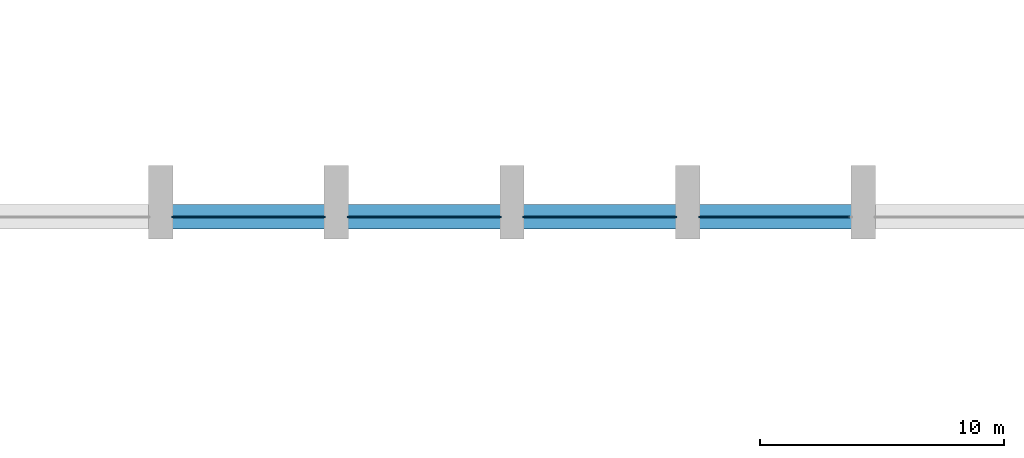
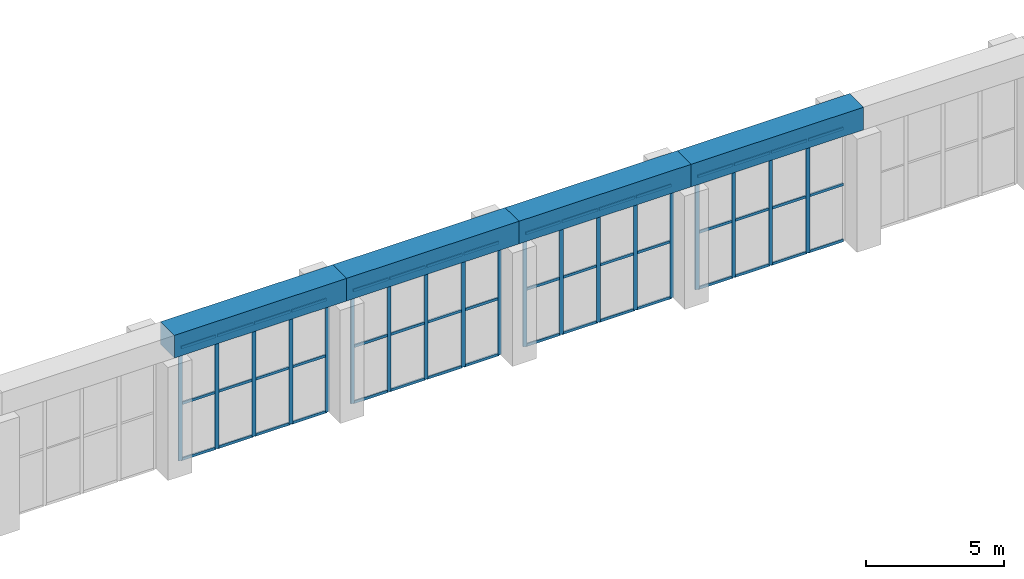
# One storey, part 10 of 44: 67 members, 4 beams, 4 elements without a shape of their own.
"""IFC4 building model written with IfcOpenShell, lengths in metres."""

import ifcopenshell
import ifcopenshell.guid

model = None  # the IFC model being written
_history = None  # IfcOwnerHistory: only IFC2X3 demands one
_inside = {}  # id of a spatial element -> (the spatial element, [elements in it])
_under = {}  # id of a project, library or spatial element -> (it, [spatial elements below it])
_declared = {}  # id of a project -> (the project, [libraries it declares])
_typed = {}  # id of a type object -> (the type object, [elements of that type])
_made_of = {}  # id of a material, layer set ... -> (it, [elements and type objects made of it])


def new_model(schema):
    """Start an empty IFC model of exactly this schema.

    Asked for "IFC4X3", IfcOpenShell would pick the latest addendum, in which some entities
    have other attributes; the version numbers below select the first issue.
    IFC2X3 requires an IfcOwnerHistory on every rooted entity: one is made here for all.
    """
    global model, _history
    if schema == "IFC4X3":
        model = ifcopenshell.file(schema_version=(4, 3, 0, 0))
    else:
        model = ifcopenshell.file(schema=schema)
    _inside.clear()
    _under.clear()
    _declared.clear()
    _typed.clear()
    _made_of.clear()
    _history = None
    if model.schema == "IFC2X3":
        org = make("IfcOrganization", Name="unknown")
        user = make(
            "IfcPersonAndOrganization",
            ThePerson=make("IfcPerson", FamilyName="unknown"),
            TheOrganization=org,
        )
        app = make(
            "IfcApplication",
            ApplicationDeveloper=org,
            Version="unknown",
            ApplicationFullName="unknown",
            ApplicationIdentifier="unknown",
        )
        _history = make(
            "IfcOwnerHistory",
            OwningUser=user,
            OwningApplication=app,
            ChangeAction="ADDED",
            CreationDate=0,
        )
    return model


def make(cls, **values):
    """One entity of the class cls with the attributes given. An attribute that is None is left unset."""
    return model.create_entity(
        cls, **{name: value for name, value in values.items() if value is not None}
    )


def rooted(cls, **values):
    """An entity with a GlobalId (a new one), such as an element, a storey or a relation."""
    return make(cls, GlobalId=ifcopenshell.guid.new(), OwnerHistory=_history, **values)


def si_unit(unit_type, name, prefix=None):
    """IfcSIUnit, for example si_unit("LENGTHUNIT", "METRE", prefix="MILLI")."""
    return make("IfcSIUnit", UnitType=unit_type, Prefix=prefix, Name=name)


def assignment(units):
    """IfcUnitAssignment: the units of a project."""
    return None if units is None else make("IfcUnitAssignment", Units=units)


def point(xyz):
    """IfcCartesianPoint."""
    return None if xyz is None else make("IfcCartesianPoint", Coordinates=xyz)


def direction(xyz):
    """IfcDirection."""
    return None if xyz is None else make("IfcDirection", DirectionRatios=xyz)


def frame(location, z_axis=None, x_axis=None):
    """IfcAxis2Placement3D, a coordinate frame: its origin and axes. An axis left out is left unset."""
    return make(
        "IfcAxis2Placement3D",
        Location=point(location),
        Axis=direction(z_axis),
        RefDirection=direction(x_axis),
    )


def frame_2d(location, x_axis=None):
    """IfcAxis2Placement2D, a coordinate frame in the plane: its origin and x axis."""
    return make(
        "IfcAxis2Placement2D", Location=point(location), RefDirection=direction(x_axis)
    )


def origin():
    """The frame at (0, 0, 0) with its axes left unset."""
    return frame((0.0, 0.0, 0.0))


def origin_2d():
    """The frame at (0, 0) in the plane with its x axis left unset."""
    return frame_2d((0.0, 0.0))


def place(relative_to, where):
    """IfcLocalPlacement: puts the frame where relative to a parent placement (None: the world)."""
    return make(
        "IfcLocalPlacement", PlacementRelTo=relative_to, RelativePlacement=where
    )


def context(
    kind, dimensions, precision=None, world=None, true_north=None, identifier=None
):
    """IfcGeometricRepresentationContext, for example the 3D "Model" context."""
    return make(
        "IfcGeometricRepresentationContext",
        ContextIdentifier=identifier,
        ContextType=kind,
        CoordinateSpaceDimension=dimensions,
        Precision=precision,
        WorldCoordinateSystem=world,
        TrueNorth=true_north,
    )


def subcontext(parent, identifier, kind, view, scale=None):
    """IfcGeometricRepresentationSubContext, for example "Body" below "Model"."""
    return make(
        "IfcGeometricRepresentationSubContext",
        ContextIdentifier=identifier,
        ContextType=kind,
        ParentContext=parent,
        TargetScale=scale,
        TargetView=view,
    )


def project(units=None, contexts=None):
    """IfcProject with its units and contexts."""
    return rooted(
        "IfcProject",
        Name="project",
        RepresentationContexts=contexts,
        UnitsInContext=assignment(units),
    )


def spatial(cls, under=None, at=None, **own):
    """A site, building, storey or space (cls), placed at a placement, below another one or the project."""
    s = rooted(cls, ObjectPlacement=at, **own)
    if under is not None:
        _under.setdefault(under.id(), (under, []))[1].append(s)
    return s


def profile(cls, at=None, kind="AREA", **sizes):
    """A parametric profile (cls). Its sizes go by their IFC names, for example OverallWidth=200.0."""
    return make(cls, ProfileType=kind, Position=at, **sizes)


def rectangle(**sizes):
    """IfcRectangleProfileDef."""
    return profile("IfcRectangleProfileDef", **sizes)


def extrude(swept, where, along, depth):
    """IfcExtrudedAreaSolid: the profile swept, set in the frame where, extruded along a direction by depth."""
    return make(
        "IfcExtrudedAreaSolid",
        SweptArea=swept,
        Position=where,
        ExtrudedDirection=direction(along),
        Depth=depth,
    )


def shape(context_of_items, identifier, shape_type, items):
    """IfcShapeRepresentation: the items that make up one representation, for example the "Body"."""
    return make(
        "IfcShapeRepresentation",
        ContextOfItems=context_of_items,
        RepresentationIdentifier=identifier,
        RepresentationType=shape_type,
        Items=items,
    )


def material(Name=None, Category=None):
    """IfcMaterial."""
    return make("IfcMaterial", Name=Name, Category=Category)


def material_profile(
    of_material, cross_section, Name=None, Category=None, Priority=None
):
    """IfcMaterialProfile: a cross section and its material."""
    return make(
        "IfcMaterialProfile",
        Name=Name,
        Material=of_material,
        Profile=cross_section,
        Priority=Priority,
        Category=Category,
    )


def profile_set(profiles, Name=None, composite=None):
    """IfcMaterialProfileSet."""
    return make(
        "IfcMaterialProfileSet",
        Name=Name,
        MaterialProfiles=profiles,
        CompositeProfile=composite,
    )


def made_of(thing, what):
    """Note that an element or type object is made of a material, layer set ...; save() writes the relation."""
    if what is not None:
        _made_of.setdefault(what.id(), (what, []))[1].append(thing)
    return thing


def type_object(cls, material=None, **own):
    """A type object (cls), such as IfcWallType, which elements share."""
    return made_of(rooted(cls, **own), material)


def element(
    cls,
    number,
    at=None,
    inside=None,
    cuts=None,
    type_object=None,
    material=None,
    context=None,
    identifier="Body",
    shape_type=None,
    held_by="IfcProductDefinitionShape",
    body=None,
    shapes=None,
    **own,
):
    """One element of the class cls, such as IfcWall. Its Tag is "e" and its number.

    at: its placement. inside: the storey or other place that contains it. cuts: it is an
    opening in that element (IfcRelVoidsElement). A single representation is given by context,
    identifier, shape_type and body (its items); several are given by shapes. held_by: the class
    of the entity that holds the representations. save() writes the other relations.
    """
    e = rooted(cls, Tag="e%d" % number, ObjectPlacement=at, **own)
    if body is not None:
        shapes = [shape(context, identifier, shape_type, body)]
    if shapes is not None:
        e.Representation = make(held_by, Representations=shapes)
    if inside is not None:
        _inside.setdefault(inside.id(), (inside, []))[1].append(e)
    if cuts is not None:
        rooted(
            "IfcRelVoidsElement", RelatingBuildingElement=cuts, RelatedOpeningElement=e
        )
    if type_object is not None:
        _typed.setdefault(type_object.id(), (type_object, []))[1].append(e)
    return made_of(e, material)


def aggregate(whole, parts):
    """IfcRelAggregates: a whole, such as a stair, and the parts it consists of."""
    return rooted("IfcRelAggregates", RelatingObject=whole, RelatedObjects=parts)


def save(model, path):
    """Write the relations noted so far, then the file.

    IfcRelAggregates (storeys below a building ...), IfcRelContainedInSpatialStructure (elements
    in a storey), IfcRelDefinesByType, IfcRelAssociatesMaterial and IfcRelDeclares: one each for
    every whole, place, type object, material and project.
    """
    for whole, parts in _under.values():
        aggregate(whole, parts)
    for where, things in _inside.values():
        rooted(
            "IfcRelContainedInSpatialStructure",
            RelatedElements=things,
            RelatingStructure=where,
        )
    for kind, things in _typed.values():
        rooted("IfcRelDefinesByType", RelatedObjects=things, RelatingType=kind)
    for what, things in _made_of.values():
        rooted("IfcRelAssociatesMaterial", RelatedObjects=things, RelatingMaterial=what)
    for by, libraries in _declared.values():
        rooted("IfcRelDeclares", RelatingContext=by, RelatedDefinitions=libraries)
    model.write(path)


model = new_model("IFC4")

# Units and contexts
model_context = context("Model", 3, precision=1e-05, world=origin(), true_north=direction((0.0, 1.0)))
body_context = subcontext(model_context, "Body", "Model", "MODEL_VIEW")
ifc_project = project(units=[si_unit("LENGTHUNIT", "METRE"), si_unit("AREAUNIT", "SQUARE_METRE"), si_unit("VOLUMEUNIT", "CUBIC_METRE"), si_unit("PLANEANGLEUNIT", "RADIAN"), si_unit("MASSUNIT", "GRAM", prefix="KILO")], contexts=[model_context])

# Site, building, storey
site_placement = place(None, origin())
site = spatial("IfcSite", under=ifc_project, at=site_placement, CompositionType="ELEMENT")
building_placement = place(site_placement, origin())
building = spatial("IfcBuilding", under=site, at=building_placement, Name="Vermilion Court Aquatics Centre", CompositionType="ELEMENT")
storey_placement = place(building_placement, frame((0.0, 0.0, 6.0)))
storey = spatial("IfcBuildingStorey", under=building, at=storey_placement, Name="L01", CompositionType="ELEMENT", Elevation=6.0)

# Curtain wall, members
ifc_material_1 = material(Name="Aluminium 6063-T5", Category="aluminium")
curtain_wall_type = type_object("IfcCurtainWallType", Name="Envelope curtain wall hall clerestory L01", PredefinedType="NOTDEFINED", material=ifc_material_1)
curtain_wall_1_placement = place(storey_placement, origin())
curtain_wall_1 = element("IfcCurtainWall", 1, at=curtain_wall_1_placement, inside=storey, type_object=curtain_wall_type, Name="Hall clerestory bay 11 L01", PredefinedType="NOTDEFINED")
ifc_material_2 = material(Name="Aluminium 6063-T5", Category="aluminium")
ifc_material_profile_1 = material_profile(ifc_material_2, rectangle(XDim=0.06005859375, YDim=0.159912109375, at=origin_2d()), Name="AL 60x160")
ifc_profile_set_1 = profile_set([ifc_material_profile_1], Name="Aluminium 6063-T5")
member_type_1 = type_object("IfcMemberType", Name="Envelope aluminium mullion 60x160", PredefinedType="MULLION", material=ifc_profile_set_1)
member_1_placement = place(storey_placement, frame((86.929931640625, 64.800048828125, 0.0), z_axis=(0.0, 0.0, 1.0), x_axis=(0.0, 1.0, 0.0)))
member_1 = element("IfcMember", 2, at=member_1_placement, type_object=member_type_1, Name="ECW2 mullion 1", PredefinedType="MULLION", context=body_context, shape_type="SweptSolid", body=[
    extrude(rectangle(XDim=0.06005859375, YDim=0.159912109375, at=origin_2d()), origin(), (0.0, 0.0, 1.0), 5.0),
])
member_2_placement = place(storey_placement, frame((88.449951171875, 64.800048828125, 0.0), z_axis=(0.0, 0.0, 1.0), x_axis=(0.0, 1.0, 0.0)))
member_2 = element("IfcMember", 3, at=member_2_placement, type_object=member_type_1, Name="ECW2 mullion 2", PredefinedType="MULLION", context=body_context, shape_type="SweptSolid", body=[
    extrude(rectangle(XDim=0.06005859375, YDim=0.159912109375, at=origin_2d()), origin(), (0.0, 0.0, 1.0), 5.0),
])
member_3_placement = place(storey_placement, frame((90.0, 64.800048828125, 0.0), z_axis=(0.0, 0.0, 1.0), x_axis=(0.0, 1.0, 0.0)))
member_3 = element("IfcMember", 4, at=member_3_placement, type_object=member_type_1, Name="ECW2 mullion 3", PredefinedType="MULLION", context=body_context, shape_type="SweptSolid", body=[
    extrude(rectangle(XDim=0.06005859375, YDim=0.159912109375, at=origin_2d()), origin(), (0.0, 0.0, 1.0), 5.0),
])
member_4_placement = place(storey_placement, frame((91.550048828125, 64.800048828125, 0.0), z_axis=(0.0, 0.0, 1.0), x_axis=(0.0, 1.0, 0.0)))
member_4 = element("IfcMember", 5, at=member_4_placement, type_object=member_type_1, Name="ECW2 mullion 4", PredefinedType="MULLION", context=body_context, shape_type="SweptSolid", body=[
    extrude(rectangle(XDim=0.06005859375, YDim=0.159912109375, at=origin_2d()), origin(), (0.0, 0.0, 1.0), 5.0),
])
member_5_placement = place(storey_placement, frame((93.070068359375, 64.800048828125, 0.0), z_axis=(0.0, 0.0, 1.0), x_axis=(0.0, 1.0, 0.0)))
member_5 = element("IfcMember", 6, at=member_5_placement, type_object=member_type_1, Name="ECW2 mullion 5", PredefinedType="MULLION", context=body_context, shape_type="SweptSolid", body=[
    extrude(rectangle(XDim=0.06005859375, YDim=0.159912109375, at=origin_2d()), origin(), (0.0, 0.0, 1.0), 5.0),
])

curtain_wall_2_placement = place(storey_placement, origin())
curtain_wall_2 = element("IfcCurtainWall", 7, at=curtain_wall_2_placement, inside=storey, type_object=curtain_wall_type, Name="Hall clerestory bay 12 L01", PredefinedType="NOTDEFINED")
member_6_placement = place(storey_placement, frame((94.1298828125, 64.800048828125, 0.0), z_axis=(0.0, 0.0, 1.0), x_axis=(0.0, 1.0, 0.0)))
member_6 = element("IfcMember", 8, at=member_6_placement, type_object=member_type_1, Name="ECW2 mullion 1", PredefinedType="MULLION", context=body_context, shape_type="SweptSolid", body=[
    extrude(rectangle(XDim=0.06005859375, YDim=0.159912109375, at=origin_2d()), origin(), (0.0, 0.0, 1.0), 5.0),
])
member_7_placement = place(storey_placement, frame((95.64990234375, 64.800048828125, 0.0), z_axis=(0.0, 0.0, 1.0), x_axis=(0.0, 1.0, 0.0)))
member_7 = element("IfcMember", 9, at=member_7_placement, type_object=member_type_1, Name="ECW2 mullion 2", PredefinedType="MULLION", context=body_context, shape_type="SweptSolid", body=[
    extrude(rectangle(XDim=0.06005859375, YDim=0.159912109375, at=origin_2d()), origin(), (0.0, 0.0, 1.0), 5.0),
])
member_8_placement = place(storey_placement, frame((97.199951171875, 64.800048828125, 0.0), z_axis=(0.0, 0.0, 1.0), x_axis=(0.0, 1.0, 0.0)))
member_8 = element("IfcMember", 10, at=member_8_placement, type_object=member_type_1, Name="ECW2 mullion 3", PredefinedType="MULLION", context=body_context, shape_type="SweptSolid", body=[
    extrude(rectangle(XDim=0.06005859375, YDim=0.159912109375, at=origin_2d()), origin(), (0.0, 0.0, 1.0), 5.0),
])
member_9_placement = place(storey_placement, frame((98.75, 64.800048828125, 0.0), z_axis=(0.0, 0.0, 1.0), x_axis=(0.0, 1.0, 0.0)))
member_9 = element("IfcMember", 11, at=member_9_placement, type_object=member_type_1, Name="ECW2 mullion 4", PredefinedType="MULLION", context=body_context, shape_type="SweptSolid", body=[
    extrude(rectangle(XDim=0.06005859375, YDim=0.159912109375, at=origin_2d()), origin(), (0.0, 0.0, 1.0), 5.0),
])
member_10_placement = place(storey_placement, frame((100.27001953125, 64.800048828125, 0.0), z_axis=(0.0, 0.0, 1.0), x_axis=(0.0, 1.0, 0.0)))
member_10 = element("IfcMember", 12, at=member_10_placement, type_object=member_type_1, Name="ECW2 mullion 5", PredefinedType="MULLION", context=body_context, shape_type="SweptSolid", body=[
    extrude(rectangle(XDim=0.06005859375, YDim=0.159912109375, at=origin_2d()), origin(), (0.0, 0.0, 1.0), 5.0),
])

curtain_wall_3_placement = place(storey_placement, origin())
curtain_wall_3 = element("IfcCurtainWall", 13, at=curtain_wall_3_placement, inside=storey, type_object=curtain_wall_type, Name="Hall clerestory bay 13 L01", PredefinedType="NOTDEFINED")
member_11_placement = place(storey_placement, frame((101.330078125, 64.800048828125, 0.0), z_axis=(0.0, 0.0, 1.0), x_axis=(0.0, 1.0, 0.0)))
member_11 = element("IfcMember", 14, at=member_11_placement, type_object=member_type_1, Name="ECW2 mullion 1", PredefinedType="MULLION", context=body_context, shape_type="SweptSolid", body=[
    extrude(rectangle(XDim=0.06005859375, YDim=0.159912109375, at=origin_2d()), origin(), (0.0, 0.0, 1.0), 5.0),
])
member_12_placement = place(storey_placement, frame((102.85009765625, 64.800048828125, 0.0), z_axis=(0.0, 0.0, 1.0), x_axis=(0.0, 1.0, 0.0)))
member_12 = element("IfcMember", 15, at=member_12_placement, type_object=member_type_1, Name="ECW2 mullion 2", PredefinedType="MULLION", context=body_context, shape_type="SweptSolid", body=[
    extrude(rectangle(XDim=0.06005859375, YDim=0.159912109375, at=origin_2d()), origin(), (0.0, 0.0, 1.0), 5.0),
])
member_13_placement = place(storey_placement, frame((104.39990234375, 64.800048828125, 0.0), z_axis=(0.0, 0.0, 1.0), x_axis=(0.0, 1.0, 0.0)))
member_13 = element("IfcMember", 16, at=member_13_placement, type_object=member_type_1, Name="ECW2 mullion 3", PredefinedType="MULLION", context=body_context, shape_type="SweptSolid", body=[
    extrude(rectangle(XDim=0.06005859375, YDim=0.159912109375, at=origin_2d()), origin(), (0.0, 0.0, 1.0), 5.0),
])
member_14_placement = place(storey_placement, frame((105.949951171875, 64.800048828125, 0.0), z_axis=(0.0, 0.0, 1.0), x_axis=(0.0, 1.0, 0.0)))
member_14 = element("IfcMember", 17, at=member_14_placement, type_object=member_type_1, Name="ECW2 mullion 4", PredefinedType="MULLION", context=body_context, shape_type="SweptSolid", body=[
    extrude(rectangle(XDim=0.06005859375, YDim=0.159912109375, at=origin_2d()), origin(), (0.0, 0.0, 1.0), 5.0),
])
member_15_placement = place(storey_placement, frame((107.469970703125, 64.800048828125, 0.0), z_axis=(0.0, 0.0, 1.0), x_axis=(0.0, 1.0, 0.0)))
member_15 = element("IfcMember", 18, at=member_15_placement, type_object=member_type_1, Name="ECW2 mullion 5", PredefinedType="MULLION", context=body_context, shape_type="SweptSolid", body=[
    extrude(rectangle(XDim=0.06005859375, YDim=0.159912109375, at=origin_2d()), origin(), (0.0, 0.0, 1.0), 5.0),
])

curtain_wall_4_placement = place(storey_placement, origin())
curtain_wall_4 = element("IfcCurtainWall", 19, at=curtain_wall_4_placement, inside=storey, type_object=curtain_wall_type, Name="Hall clerestory bay 14 L01", PredefinedType="NOTDEFINED")
member_16_placement = place(storey_placement, frame((108.530029296875, 64.800048828125, 0.0), z_axis=(0.0, 0.0, 1.0), x_axis=(0.0, 1.0, 0.0)))
member_16 = element("IfcMember", 20, at=member_16_placement, type_object=member_type_1, Name="ECW2 mullion 1", PredefinedType="MULLION", context=body_context, shape_type="SweptSolid", body=[
    extrude(rectangle(XDim=0.06005859375, YDim=0.159912109375, at=origin_2d()), origin(), (0.0, 0.0, 1.0), 5.0),
])
member_17_placement = place(storey_placement, frame((110.050048828125, 64.800048828125, 0.0), z_axis=(0.0, 0.0, 1.0), x_axis=(0.0, 1.0, 0.0)))
member_17 = element("IfcMember", 21, at=member_17_placement, type_object=member_type_1, Name="ECW2 mullion 2", PredefinedType="MULLION", context=body_context, shape_type="SweptSolid", body=[
    extrude(rectangle(XDim=0.06005859375, YDim=0.159912109375, at=origin_2d()), origin(), (0.0, 0.0, 1.0), 5.0),
])
member_18_placement = place(storey_placement, frame((111.60009765625, 64.800048828125, 0.0), z_axis=(0.0, 0.0, 1.0), x_axis=(0.0, 1.0, 0.0)))
member_18 = element("IfcMember", 22, at=member_18_placement, type_object=member_type_1, Name="ECW2 mullion 3", PredefinedType="MULLION", context=body_context, shape_type="SweptSolid", body=[
    extrude(rectangle(XDim=0.06005859375, YDim=0.159912109375, at=origin_2d()), origin(), (0.0, 0.0, 1.0), 5.0),
])
member_19_placement = place(storey_placement, frame((113.14990234375, 64.800048828125, 0.0), z_axis=(0.0, 0.0, 1.0), x_axis=(0.0, 1.0, 0.0)))
member_19 = element("IfcMember", 23, at=member_19_placement, type_object=member_type_1, Name="ECW2 mullion 4", PredefinedType="MULLION", context=body_context, shape_type="SweptSolid", body=[
    extrude(rectangle(XDim=0.06005859375, YDim=0.159912109375, at=origin_2d()), origin(), (0.0, 0.0, 1.0), 5.0),
])

# Member
ifc_material_3 = material(Name="Aluminium 6063-T5", Category="aluminium")
ifc_material_profile_2 = material_profile(ifc_material_3, rectangle(XDim=0.06005859375, YDim=0.1201171875, at=origin_2d()), Name="AL 60x120")
ifc_profile_set_2 = profile_set([ifc_material_profile_2], Name="Aluminium 6063-T5")
member_type_2 = type_object("IfcMemberType", Name="Envelope aluminium transom 60x120", PredefinedType="USERDEFINED", material=ifc_profile_set_2)
member_20_placement = place(storey_placement, frame((86.9599609375, 64.800048828125, 0.030029296875), z_axis=(1.0, 0.0, 0.0), x_axis=(0.0, 1.0, 0.0)))
member_20 = element("IfcMember", 24, at=member_20_placement, type_object=member_type_2, Name="ECW2 transom 1.1", ObjectType="TRANSOM", PredefinedType="USERDEFINED", context=body_context, shape_type="SweptSolid", body=[
    extrude(rectangle(XDim=0.06005859375, YDim=0.1201171875, at=origin_2d()), origin(), (0.0, 0.0, 1.0), 1.4599609375),
])

member_21_placement = place(storey_placement, frame((86.9599609375, 64.800048828125, 2.5), z_axis=(1.0, 0.0, 0.0), x_axis=(0.0, 1.0, 0.0)))
member_21 = element("IfcMember", 25, at=member_21_placement, type_object=member_type_2, Name="ECW2 transom 1.2", ObjectType="TRANSOM", PredefinedType="USERDEFINED", context=body_context, shape_type="SweptSolid", body=[
    extrude(rectangle(XDim=0.06005859375, YDim=0.1201171875, at=origin_2d()), origin(), (0.0, 0.0, 1.0), 1.4599609375),
])

member_22_placement = place(storey_placement, frame((86.9599609375, 64.800048828125, 4.969970703125), z_axis=(1.0, 0.0, 0.0), x_axis=(0.0, 1.0, 0.0)))
member_22 = element("IfcMember", 26, at=member_22_placement, type_object=member_type_2, Name="ECW2 transom 1.3", ObjectType="TRANSOM", PredefinedType="USERDEFINED", context=body_context, shape_type="SweptSolid", body=[
    extrude(rectangle(XDim=0.06005859375, YDim=0.1201171875, at=origin_2d()), origin(), (0.0, 0.0, 1.0), 1.4599609375),
])

member_23_placement = place(storey_placement, frame((88.47998046875, 64.800048828125, 0.030029296875), z_axis=(1.0, 0.0, 0.0), x_axis=(0.0, 1.0, 0.0)))
member_23 = element("IfcMember", 27, at=member_23_placement, type_object=member_type_2, Name="ECW2 transom 2.1", ObjectType="TRANSOM", PredefinedType="USERDEFINED", context=body_context, shape_type="SweptSolid", body=[
    extrude(rectangle(XDim=0.06005859375, YDim=0.1201171875, at=origin_2d()), origin(), (0.0, 0.0, 1.0), 1.489990234375),
])

member_24_placement = place(storey_placement, frame((88.47998046875, 64.800048828125, 2.5), z_axis=(1.0, 0.0, 0.0), x_axis=(0.0, 1.0, 0.0)))
member_24 = element("IfcMember", 28, at=member_24_placement, type_object=member_type_2, Name="ECW2 transom 2.2", ObjectType="TRANSOM", PredefinedType="USERDEFINED", context=body_context, shape_type="SweptSolid", body=[
    extrude(rectangle(XDim=0.06005859375, YDim=0.1201171875, at=origin_2d()), origin(), (0.0, 0.0, 1.0), 1.489990234375),
])

member_25_placement = place(storey_placement, frame((88.47998046875, 64.800048828125, 4.969970703125), z_axis=(1.0, 0.0, 0.0), x_axis=(0.0, 1.0, 0.0)))
member_25 = element("IfcMember", 29, at=member_25_placement, type_object=member_type_2, Name="ECW2 transom 2.3", ObjectType="TRANSOM", PredefinedType="USERDEFINED", context=body_context, shape_type="SweptSolid", body=[
    extrude(rectangle(XDim=0.06005859375, YDim=0.1201171875, at=origin_2d()), origin(), (0.0, 0.0, 1.0), 1.489990234375),
])

member_26_placement = place(storey_placement, frame((90.030029296875, 64.800048828125, 0.030029296875), z_axis=(1.0, 0.0, 0.0), x_axis=(0.0, 1.0, 0.0)))
member_26 = element("IfcMember", 30, at=member_26_placement, type_object=member_type_2, Name="ECW2 transom 3.1", ObjectType="TRANSOM", PredefinedType="USERDEFINED", context=body_context, shape_type="SweptSolid", body=[
    extrude(rectangle(XDim=0.06005859375, YDim=0.1201171875, at=origin_2d()), origin(), (0.0, 0.0, 1.0), 1.489990234375),
])

member_27_placement = place(storey_placement, frame((90.030029296875, 64.800048828125, 2.5), z_axis=(1.0, 0.0, 0.0), x_axis=(0.0, 1.0, 0.0)))
member_27 = element("IfcMember", 31, at=member_27_placement, type_object=member_type_2, Name="ECW2 transom 3.2", ObjectType="TRANSOM", PredefinedType="USERDEFINED", context=body_context, shape_type="SweptSolid", body=[
    extrude(rectangle(XDim=0.06005859375, YDim=0.1201171875, at=origin_2d()), origin(), (0.0, 0.0, 1.0), 1.489990234375),
])

member_28_placement = place(storey_placement, frame((90.030029296875, 64.800048828125, 4.969970703125), z_axis=(1.0, 0.0, 0.0), x_axis=(0.0, 1.0, 0.0)))
member_28 = element("IfcMember", 32, at=member_28_placement, type_object=member_type_2, Name="ECW2 transom 3.3", ObjectType="TRANSOM", PredefinedType="USERDEFINED", context=body_context, shape_type="SweptSolid", body=[
    extrude(rectangle(XDim=0.06005859375, YDim=0.1201171875, at=origin_2d()), origin(), (0.0, 0.0, 1.0), 1.489990234375),
])

member_29_placement = place(storey_placement, frame((91.580078125, 64.800048828125, 0.030029296875), z_axis=(1.0, 0.0, 0.0), x_axis=(0.0, 1.0, 0.0)))
member_29 = element("IfcMember", 33, at=member_29_placement, type_object=member_type_2, Name="ECW2 transom 4.1", ObjectType="TRANSOM", PredefinedType="USERDEFINED", context=body_context, shape_type="SweptSolid", body=[
    extrude(rectangle(XDim=0.06005859375, YDim=0.1201171875, at=origin_2d()), origin(), (0.0, 0.0, 1.0), 1.4599609375),
])

member_30_placement = place(storey_placement, frame((91.580078125, 64.800048828125, 2.5), z_axis=(1.0, 0.0, 0.0), x_axis=(0.0, 1.0, 0.0)))
member_30 = element("IfcMember", 34, at=member_30_placement, type_object=member_type_2, Name="ECW2 transom 4.2", ObjectType="TRANSOM", PredefinedType="USERDEFINED", context=body_context, shape_type="SweptSolid", body=[
    extrude(rectangle(XDim=0.06005859375, YDim=0.1201171875, at=origin_2d()), origin(), (0.0, 0.0, 1.0), 1.4599609375),
])

member_31_placement = place(storey_placement, frame((91.580078125, 64.800048828125, 4.969970703125), z_axis=(1.0, 0.0, 0.0), x_axis=(0.0, 1.0, 0.0)))
member_31 = element("IfcMember", 35, at=member_31_placement, type_object=member_type_2, Name="ECW2 transom 4.3", ObjectType="TRANSOM", PredefinedType="USERDEFINED", context=body_context, shape_type="SweptSolid", body=[
    extrude(rectangle(XDim=0.06005859375, YDim=0.1201171875, at=origin_2d()), origin(), (0.0, 0.0, 1.0), 1.4599609375),
])

aggregate(curtain_wall_1, [member_1, member_2, member_3, member_4, member_5, member_20, member_21, member_22, member_23, member_24, member_25, member_26, member_27, member_28, member_29, member_30, member_31])

member_32_placement = place(storey_placement, frame((94.159912109375, 64.800048828125, 0.030029296875), z_axis=(1.0, 0.0, 0.0), x_axis=(0.0, 1.0, 0.0)))
member_32 = element("IfcMember", 36, at=member_32_placement, type_object=member_type_2, Name="ECW2 transom 1.1", ObjectType="TRANSOM", PredefinedType="USERDEFINED", context=body_context, shape_type="SweptSolid", body=[
    extrude(rectangle(XDim=0.06005859375, YDim=0.1201171875, at=origin_2d()), origin(), (0.0, 0.0, 1.0), 1.460205078125),
])

member_33_placement = place(storey_placement, frame((94.159912109375, 64.800048828125, 2.5), z_axis=(1.0, 0.0, 0.0), x_axis=(0.0, 1.0, 0.0)))
member_33 = element("IfcMember", 37, at=member_33_placement, type_object=member_type_2, Name="ECW2 transom 1.2", ObjectType="TRANSOM", PredefinedType="USERDEFINED", context=body_context, shape_type="SweptSolid", body=[
    extrude(rectangle(XDim=0.06005859375, YDim=0.1201171875, at=origin_2d()), origin(), (0.0, 0.0, 1.0), 1.460205078125),
])

member_34_placement = place(storey_placement, frame((94.159912109375, 64.800048828125, 4.969970703125), z_axis=(1.0, 0.0, 0.0), x_axis=(0.0, 1.0, 0.0)))
member_34 = element("IfcMember", 38, at=member_34_placement, type_object=member_type_2, Name="ECW2 transom 1.3", ObjectType="TRANSOM", PredefinedType="USERDEFINED", context=body_context, shape_type="SweptSolid", body=[
    extrude(rectangle(XDim=0.06005859375, YDim=0.1201171875, at=origin_2d()), origin(), (0.0, 0.0, 1.0), 1.460205078125),
])

member_35_placement = place(storey_placement, frame((95.679931640625, 64.800048828125, 0.030029296875), z_axis=(1.0, 0.0, 0.0), x_axis=(0.0, 1.0, 0.0)))
member_35 = element("IfcMember", 39, at=member_35_placement, type_object=member_type_2, Name="ECW2 transom 2.1", ObjectType="TRANSOM", PredefinedType="USERDEFINED", context=body_context, shape_type="SweptSolid", body=[
    extrude(rectangle(XDim=0.06005859375, YDim=0.1201171875, at=origin_2d()), origin(), (0.0, 0.0, 1.0), 1.489990234375),
])

member_36_placement = place(storey_placement, frame((95.679931640625, 64.800048828125, 2.5), z_axis=(1.0, 0.0, 0.0), x_axis=(0.0, 1.0, 0.0)))
member_36 = element("IfcMember", 40, at=member_36_placement, type_object=member_type_2, Name="ECW2 transom 2.2", ObjectType="TRANSOM", PredefinedType="USERDEFINED", context=body_context, shape_type="SweptSolid", body=[
    extrude(rectangle(XDim=0.06005859375, YDim=0.1201171875, at=origin_2d()), origin(), (0.0, 0.0, 1.0), 1.489990234375),
])

member_37_placement = place(storey_placement, frame((95.679931640625, 64.800048828125, 4.969970703125), z_axis=(1.0, 0.0, 0.0), x_axis=(0.0, 1.0, 0.0)))
member_37 = element("IfcMember", 41, at=member_37_placement, type_object=member_type_2, Name="ECW2 transom 2.3", ObjectType="TRANSOM", PredefinedType="USERDEFINED", context=body_context, shape_type="SweptSolid", body=[
    extrude(rectangle(XDim=0.06005859375, YDim=0.1201171875, at=origin_2d()), origin(), (0.0, 0.0, 1.0), 1.489990234375),
])

member_38_placement = place(storey_placement, frame((97.22998046875, 64.800048828125, 0.030029296875), z_axis=(1.0, 0.0, 0.0), x_axis=(0.0, 1.0, 0.0)))
member_38 = element("IfcMember", 42, at=member_38_placement, type_object=member_type_2, Name="ECW2 transom 3.1", ObjectType="TRANSOM", PredefinedType="USERDEFINED", context=body_context, shape_type="SweptSolid", body=[
    extrude(rectangle(XDim=0.06005859375, YDim=0.1201171875, at=origin_2d()), origin(), (0.0, 0.0, 1.0), 1.489990234375),
])

member_39_placement = place(storey_placement, frame((97.22998046875, 64.800048828125, 2.5), z_axis=(1.0, 0.0, 0.0), x_axis=(0.0, 1.0, 0.0)))
member_39 = element("IfcMember", 43, at=member_39_placement, type_object=member_type_2, Name="ECW2 transom 3.2", ObjectType="TRANSOM", PredefinedType="USERDEFINED", context=body_context, shape_type="SweptSolid", body=[
    extrude(rectangle(XDim=0.06005859375, YDim=0.1201171875, at=origin_2d()), origin(), (0.0, 0.0, 1.0), 1.489990234375),
])

member_40_placement = place(storey_placement, frame((97.22998046875, 64.800048828125, 4.969970703125), z_axis=(1.0, 0.0, 0.0), x_axis=(0.0, 1.0, 0.0)))
member_40 = element("IfcMember", 44, at=member_40_placement, type_object=member_type_2, Name="ECW2 transom 3.3", ObjectType="TRANSOM", PredefinedType="USERDEFINED", context=body_context, shape_type="SweptSolid", body=[
    extrude(rectangle(XDim=0.06005859375, YDim=0.1201171875, at=origin_2d()), origin(), (0.0, 0.0, 1.0), 1.489990234375),
])

member_41_placement = place(storey_placement, frame((98.780029296875, 64.800048828125, 0.030029296875), z_axis=(1.0, 0.0, 0.0), x_axis=(0.0, 1.0, 0.0)))
member_41 = element("IfcMember", 45, at=member_41_placement, type_object=member_type_2, Name="ECW2 transom 4.1", ObjectType="TRANSOM", PredefinedType="USERDEFINED", context=body_context, shape_type="SweptSolid", body=[
    extrude(rectangle(XDim=0.06005859375, YDim=0.1201171875, at=origin_2d()), origin(), (0.0, 0.0, 1.0), 1.4599609375),
])

member_42_placement = place(storey_placement, frame((98.780029296875, 64.800048828125, 2.5), z_axis=(1.0, 0.0, 0.0), x_axis=(0.0, 1.0, 0.0)))
member_42 = element("IfcMember", 46, at=member_42_placement, type_object=member_type_2, Name="ECW2 transom 4.2", ObjectType="TRANSOM", PredefinedType="USERDEFINED", context=body_context, shape_type="SweptSolid", body=[
    extrude(rectangle(XDim=0.06005859375, YDim=0.1201171875, at=origin_2d()), origin(), (0.0, 0.0, 1.0), 1.4599609375),
])

member_43_placement = place(storey_placement, frame((98.780029296875, 64.800048828125, 4.969970703125), z_axis=(1.0, 0.0, 0.0), x_axis=(0.0, 1.0, 0.0)))
member_43 = element("IfcMember", 47, at=member_43_placement, type_object=member_type_2, Name="ECW2 transom 4.3", ObjectType="TRANSOM", PredefinedType="USERDEFINED", context=body_context, shape_type="SweptSolid", body=[
    extrude(rectangle(XDim=0.06005859375, YDim=0.1201171875, at=origin_2d()), origin(), (0.0, 0.0, 1.0), 1.4599609375),
])

aggregate(curtain_wall_2, [member_6, member_7, member_8, member_9, member_10, member_32, member_33, member_34, member_35, member_36, member_37, member_38, member_39, member_40, member_41, member_42, member_43])

member_44_placement = place(storey_placement, frame((101.360107421875, 64.800048828125, 0.030029296875), z_axis=(1.0, 0.0, 0.0), x_axis=(0.0, 1.0, 0.0)))
member_44 = element("IfcMember", 48, at=member_44_placement, type_object=member_type_2, Name="ECW2 transom 1.1", ObjectType="TRANSOM", PredefinedType="USERDEFINED", context=body_context, shape_type="SweptSolid", body=[
    extrude(rectangle(XDim=0.06005859375, YDim=0.1201171875, at=origin_2d()), origin(), (0.0, 0.0, 1.0), 1.4599609375),
])

member_45_placement = place(storey_placement, frame((101.360107421875, 64.800048828125, 2.5), z_axis=(1.0, 0.0, 0.0), x_axis=(0.0, 1.0, 0.0)))
member_45 = element("IfcMember", 49, at=member_45_placement, type_object=member_type_2, Name="ECW2 transom 1.2", ObjectType="TRANSOM", PredefinedType="USERDEFINED", context=body_context, shape_type="SweptSolid", body=[
    extrude(rectangle(XDim=0.06005859375, YDim=0.1201171875, at=origin_2d()), origin(), (0.0, 0.0, 1.0), 1.4599609375),
])

member_46_placement = place(storey_placement, frame((101.360107421875, 64.800048828125, 4.969970703125), z_axis=(1.0, 0.0, 0.0), x_axis=(0.0, 1.0, 0.0)))
member_46 = element("IfcMember", 50, at=member_46_placement, type_object=member_type_2, Name="ECW2 transom 1.3", ObjectType="TRANSOM", PredefinedType="USERDEFINED", context=body_context, shape_type="SweptSolid", body=[
    extrude(rectangle(XDim=0.06005859375, YDim=0.1201171875, at=origin_2d()), origin(), (0.0, 0.0, 1.0), 1.4599609375),
])

member_47_placement = place(storey_placement, frame((102.8798828125, 64.800048828125, 0.030029296875), z_axis=(1.0, 0.0, 0.0), x_axis=(0.0, 1.0, 0.0)))
member_47 = element("IfcMember", 51, at=member_47_placement, type_object=member_type_2, Name="ECW2 transom 2.1", ObjectType="TRANSOM", PredefinedType="USERDEFINED", context=body_context, shape_type="SweptSolid", body=[
    extrude(rectangle(XDim=0.06005859375, YDim=0.1201171875, at=origin_2d()), origin(), (0.0, 0.0, 1.0), 1.490234375),
])

member_48_placement = place(storey_placement, frame((102.8798828125, 64.800048828125, 2.5), z_axis=(1.0, 0.0, 0.0), x_axis=(0.0, 1.0, 0.0)))
member_48 = element("IfcMember", 52, at=member_48_placement, type_object=member_type_2, Name="ECW2 transom 2.2", ObjectType="TRANSOM", PredefinedType="USERDEFINED", context=body_context, shape_type="SweptSolid", body=[
    extrude(rectangle(XDim=0.06005859375, YDim=0.1201171875, at=origin_2d()), origin(), (0.0, 0.0, 1.0), 1.490234375),
])

member_49_placement = place(storey_placement, frame((102.8798828125, 64.800048828125, 4.969970703125), z_axis=(1.0, 0.0, 0.0), x_axis=(0.0, 1.0, 0.0)))
member_49 = element("IfcMember", 53, at=member_49_placement, type_object=member_type_2, Name="ECW2 transom 2.3", ObjectType="TRANSOM", PredefinedType="USERDEFINED", context=body_context, shape_type="SweptSolid", body=[
    extrude(rectangle(XDim=0.06005859375, YDim=0.1201171875, at=origin_2d()), origin(), (0.0, 0.0, 1.0), 1.490234375),
])

member_50_placement = place(storey_placement, frame((104.429931640625, 64.800048828125, 0.030029296875), z_axis=(1.0, 0.0, 0.0), x_axis=(0.0, 1.0, 0.0)))
member_50 = element("IfcMember", 54, at=member_50_placement, type_object=member_type_2, Name="ECW2 transom 3.1", ObjectType="TRANSOM", PredefinedType="USERDEFINED", context=body_context, shape_type="SweptSolid", body=[
    extrude(rectangle(XDim=0.06005859375, YDim=0.1201171875, at=origin_2d()), origin(), (0.0, 0.0, 1.0), 1.489990234375),
])

member_51_placement = place(storey_placement, frame((104.429931640625, 64.800048828125, 2.5), z_axis=(1.0, 0.0, 0.0), x_axis=(0.0, 1.0, 0.0)))
member_51 = element("IfcMember", 55, at=member_51_placement, type_object=member_type_2, Name="ECW2 transom 3.2", ObjectType="TRANSOM", PredefinedType="USERDEFINED", context=body_context, shape_type="SweptSolid", body=[
    extrude(rectangle(XDim=0.06005859375, YDim=0.1201171875, at=origin_2d()), origin(), (0.0, 0.0, 1.0), 1.489990234375),
])

member_52_placement = place(storey_placement, frame((104.429931640625, 64.800048828125, 4.969970703125), z_axis=(1.0, 0.0, 0.0), x_axis=(0.0, 1.0, 0.0)))
member_52 = element("IfcMember", 56, at=member_52_placement, type_object=member_type_2, Name="ECW2 transom 3.3", ObjectType="TRANSOM", PredefinedType="USERDEFINED", context=body_context, shape_type="SweptSolid", body=[
    extrude(rectangle(XDim=0.06005859375, YDim=0.1201171875, at=origin_2d()), origin(), (0.0, 0.0, 1.0), 1.489990234375),
])

member_53_placement = place(storey_placement, frame((105.97998046875, 64.800048828125, 0.030029296875), z_axis=(1.0, 0.0, 0.0), x_axis=(0.0, 1.0, 0.0)))
member_53 = element("IfcMember", 57, at=member_53_placement, type_object=member_type_2, Name="ECW2 transom 4.1", ObjectType="TRANSOM", PredefinedType="USERDEFINED", context=body_context, shape_type="SweptSolid", body=[
    extrude(rectangle(XDim=0.06005859375, YDim=0.1201171875, at=origin_2d()), origin(), (0.0, 0.0, 1.0), 1.4599609375),
])

member_54_placement = place(storey_placement, frame((105.97998046875, 64.800048828125, 2.5), z_axis=(1.0, 0.0, 0.0), x_axis=(0.0, 1.0, 0.0)))
member_54 = element("IfcMember", 58, at=member_54_placement, type_object=member_type_2, Name="ECW2 transom 4.2", ObjectType="TRANSOM", PredefinedType="USERDEFINED", context=body_context, shape_type="SweptSolid", body=[
    extrude(rectangle(XDim=0.06005859375, YDim=0.1201171875, at=origin_2d()), origin(), (0.0, 0.0, 1.0), 1.4599609375),
])

member_55_placement = place(storey_placement, frame((105.97998046875, 64.800048828125, 4.969970703125), z_axis=(1.0, 0.0, 0.0), x_axis=(0.0, 1.0, 0.0)))
member_55 = element("IfcMember", 59, at=member_55_placement, type_object=member_type_2, Name="ECW2 transom 4.3", ObjectType="TRANSOM", PredefinedType="USERDEFINED", context=body_context, shape_type="SweptSolid", body=[
    extrude(rectangle(XDim=0.06005859375, YDim=0.1201171875, at=origin_2d()), origin(), (0.0, 0.0, 1.0), 1.4599609375),
])

aggregate(curtain_wall_3, [member_11, member_12, member_13, member_14, member_15, member_44, member_45, member_46, member_47, member_48, member_49, member_50, member_51, member_52, member_53, member_54, member_55])

member_56_placement = place(storey_placement, frame((108.56005859375, 64.800048828125, 0.030029296875), z_axis=(1.0, 0.0, 0.0), x_axis=(0.0, 1.0, 0.0)))
member_56 = element("IfcMember", 60, at=member_56_placement, type_object=member_type_2, Name="ECW2 transom 1.1", ObjectType="TRANSOM", PredefinedType="USERDEFINED", context=body_context, shape_type="SweptSolid", body=[
    extrude(rectangle(XDim=0.06005859375, YDim=0.1201171875, at=origin_2d()), origin(), (0.0, 0.0, 1.0), 1.4599609375),
])

member_57_placement = place(storey_placement, frame((108.56005859375, 64.800048828125, 2.5), z_axis=(1.0, 0.0, 0.0), x_axis=(0.0, 1.0, 0.0)))
member_57 = element("IfcMember", 61, at=member_57_placement, type_object=member_type_2, Name="ECW2 transom 1.2", ObjectType="TRANSOM", PredefinedType="USERDEFINED", context=body_context, shape_type="SweptSolid", body=[
    extrude(rectangle(XDim=0.06005859375, YDim=0.1201171875, at=origin_2d()), origin(), (0.0, 0.0, 1.0), 1.4599609375),
])

member_58_placement = place(storey_placement, frame((108.56005859375, 64.800048828125, 4.969970703125), z_axis=(1.0, 0.0, 0.0), x_axis=(0.0, 1.0, 0.0)))
member_58 = element("IfcMember", 62, at=member_58_placement, type_object=member_type_2, Name="ECW2 transom 1.3", ObjectType="TRANSOM", PredefinedType="USERDEFINED", context=body_context, shape_type="SweptSolid", body=[
    extrude(rectangle(XDim=0.06005859375, YDim=0.1201171875, at=origin_2d()), origin(), (0.0, 0.0, 1.0), 1.4599609375),
])

member_59_placement = place(storey_placement, frame((110.080078125, 64.800048828125, 0.030029296875), z_axis=(1.0, 0.0, 0.0), x_axis=(0.0, 1.0, 0.0)))
member_59 = element("IfcMember", 63, at=member_59_placement, type_object=member_type_2, Name="ECW2 transom 2.1", ObjectType="TRANSOM", PredefinedType="USERDEFINED", context=body_context, shape_type="SweptSolid", body=[
    extrude(rectangle(XDim=0.06005859375, YDim=0.1201171875, at=origin_2d()), origin(), (0.0, 0.0, 1.0), 1.489990234375),
])

member_60_placement = place(storey_placement, frame((110.080078125, 64.800048828125, 2.5), z_axis=(1.0, 0.0, 0.0), x_axis=(0.0, 1.0, 0.0)))
member_60 = element("IfcMember", 64, at=member_60_placement, type_object=member_type_2, Name="ECW2 transom 2.2", ObjectType="TRANSOM", PredefinedType="USERDEFINED", context=body_context, shape_type="SweptSolid", body=[
    extrude(rectangle(XDim=0.06005859375, YDim=0.1201171875, at=origin_2d()), origin(), (0.0, 0.0, 1.0), 1.489990234375),
])

member_61_placement = place(storey_placement, frame((110.080078125, 64.800048828125, 4.969970703125), z_axis=(1.0, 0.0, 0.0), x_axis=(0.0, 1.0, 0.0)))
member_61 = element("IfcMember", 65, at=member_61_placement, type_object=member_type_2, Name="ECW2 transom 2.3", ObjectType="TRANSOM", PredefinedType="USERDEFINED", context=body_context, shape_type="SweptSolid", body=[
    extrude(rectangle(XDim=0.06005859375, YDim=0.1201171875, at=origin_2d()), origin(), (0.0, 0.0, 1.0), 1.489990234375),
])

member_62_placement = place(storey_placement, frame((111.6298828125, 64.800048828125, 0.030029296875), z_axis=(1.0, 0.0, 0.0), x_axis=(0.0, 1.0, 0.0)))
member_62 = element("IfcMember", 66, at=member_62_placement, type_object=member_type_2, Name="ECW2 transom 3.1", ObjectType="TRANSOM", PredefinedType="USERDEFINED", context=body_context, shape_type="SweptSolid", body=[
    extrude(rectangle(XDim=0.06005859375, YDim=0.1201171875, at=origin_2d()), origin(), (0.0, 0.0, 1.0), 1.490234375),
])

member_63_placement = place(storey_placement, frame((111.6298828125, 64.800048828125, 2.5), z_axis=(1.0, 0.0, 0.0), x_axis=(0.0, 1.0, 0.0)))
member_63 = element("IfcMember", 67, at=member_63_placement, type_object=member_type_2, Name="ECW2 transom 3.2", ObjectType="TRANSOM", PredefinedType="USERDEFINED", context=body_context, shape_type="SweptSolid", body=[
    extrude(rectangle(XDim=0.06005859375, YDim=0.1201171875, at=origin_2d()), origin(), (0.0, 0.0, 1.0), 1.490234375),
])

member_64_placement = place(storey_placement, frame((111.6298828125, 64.800048828125, 4.969970703125), z_axis=(1.0, 0.0, 0.0), x_axis=(0.0, 1.0, 0.0)))
member_64 = element("IfcMember", 68, at=member_64_placement, type_object=member_type_2, Name="ECW2 transom 3.3", ObjectType="TRANSOM", PredefinedType="USERDEFINED", context=body_context, shape_type="SweptSolid", body=[
    extrude(rectangle(XDim=0.06005859375, YDim=0.1201171875, at=origin_2d()), origin(), (0.0, 0.0, 1.0), 1.490234375),
])

member_65_placement = place(storey_placement, frame((113.179931640625, 64.800048828125, 0.030029296875), z_axis=(1.0, 0.0, 0.0), x_axis=(0.0, 1.0, 0.0)))
member_65 = element("IfcMember", 69, at=member_65_placement, type_object=member_type_2, Name="ECW2 transom 4.1", ObjectType="TRANSOM", PredefinedType="USERDEFINED", context=body_context, shape_type="SweptSolid", body=[
    extrude(rectangle(XDim=0.06005859375, YDim=0.1201171875, at=origin_2d()), origin(), (0.0, 0.0, 1.0), 1.4599609375),
])

member_66_placement = place(storey_placement, frame((113.179931640625, 64.800048828125, 2.5), z_axis=(1.0, 0.0, 0.0), x_axis=(0.0, 1.0, 0.0)))
member_66 = element("IfcMember", 70, at=member_66_placement, type_object=member_type_2, Name="ECW2 transom 4.2", ObjectType="TRANSOM", PredefinedType="USERDEFINED", context=body_context, shape_type="SweptSolid", body=[
    extrude(rectangle(XDim=0.06005859375, YDim=0.1201171875, at=origin_2d()), origin(), (0.0, 0.0, 1.0), 1.4599609375),
])

member_67_placement = place(storey_placement, frame((113.179931640625, 64.800048828125, 4.969970703125), z_axis=(1.0, 0.0, 0.0), x_axis=(0.0, 1.0, 0.0)))
member_67 = element("IfcMember", 71, at=member_67_placement, type_object=member_type_2, Name="ECW2 transom 4.3", ObjectType="TRANSOM", PredefinedType="USERDEFINED", context=body_context, shape_type="SweptSolid", body=[
    extrude(rectangle(XDim=0.06005859375, YDim=0.1201171875, at=origin_2d()), origin(), (0.0, 0.0, 1.0), 1.4599609375),
])

aggregate(curtain_wall_4, [member_16, member_17, member_18, member_19, member_56, member_57, member_58, member_59, member_60, member_61, member_62, member_63, member_64, member_65, member_66, member_67])

# Beams
ifc_material_4 = material(Name="Concrete 5000 psi", Category="concrete")
ifc_material_profile_3 = material_profile(ifc_material_4, rectangle(XDim=1.0, YDim=1.0, at=origin_2d()), Name="RC 1000x1000")
ifc_profile_set_3 = profile_set([ifc_material_profile_3], Name="Concrete 5000 psi")
beam_type = type_object("IfcBeamType", Name="Roof springing tie beam north (clear span between piers)", PredefinedType="BEAM", material=ifc_profile_set_3)
beam_placement = place(storey_placement, frame((86.39990234375, 64.800048828125, 5.5), z_axis=(1.0, 0.0, 0.0), x_axis=(0.0, 1.0, 0.0)))
element("IfcBeam", 72, at=beam_placement, inside=storey, type_object=beam_type, Name="Springing tie beam STN11", PredefinedType="BEAM", context=body_context, shape_type="SweptSolid", body=[
    extrude(rectangle(XDim=1.0, YDim=1.0, at=origin_2d()), origin(), (0.0, 0.0, 1.0), 7.2001953125),
])
for number, where, z_axis, x_axis, name in (
    (73, (93.60009765625, 64.800048828125, 5.5), (1.0, 0.0, 0.0), (0.0, 1.0, 0.0), "Springing tie beam STN12"),
    (74, (100.800048828125, 64.800048828125, 5.5), (1.0, 0.0, 0.0), (0.0, 1.0, 0.0), "Springing tie beam STN13"),
    (75, (108.0, 64.800048828125, 5.5), (1.0, 0.0, 0.0), (0.0, 1.0, 0.0), "Springing tie beam STN14"),
):
    element("IfcBeam", number, at=place(storey_placement, frame(where, z_axis=z_axis, x_axis=x_axis)), inside=storey, type_object=beam_type, Name=name, PredefinedType="BEAM", context=body_context, shape_type="SweptSolid", body=[
        extrude(rectangle(XDim=1.0, YDim=1.0, at=origin_2d()), origin(), (0.0, 0.0, 1.0), 7.199951171875),
    ])

save(model, "model.ifc")
